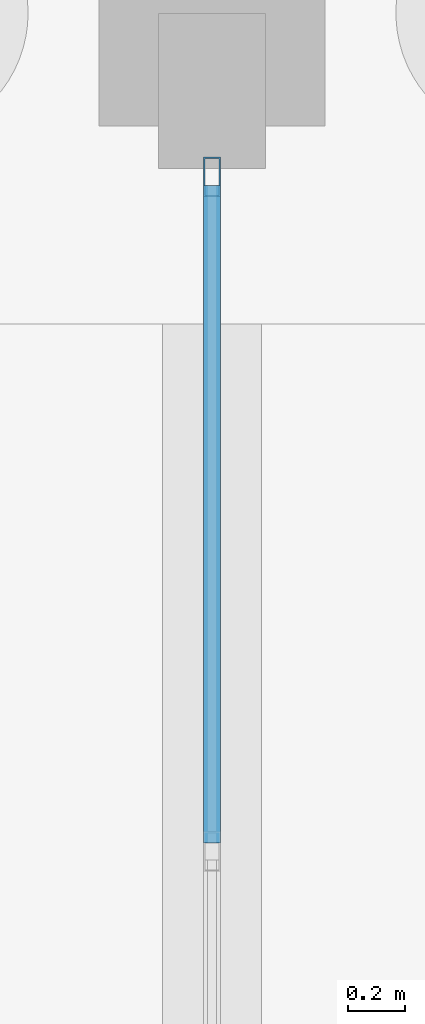
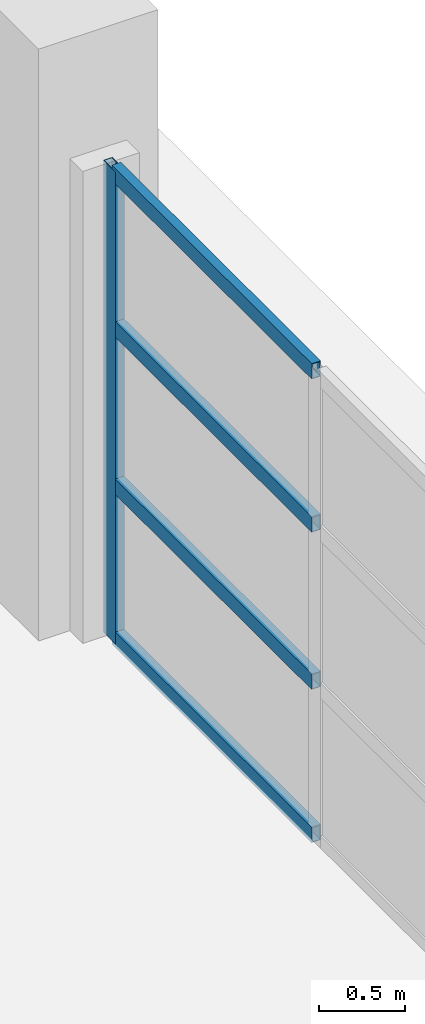
# One storey, part 44 of 77: 5 members, 1 element without a shape of its own.
"""IFC4 building model written with IfcOpenShell, lengths in metres."""

from ifc_helpers import new_model, si_unit, direction, frame, origin, origin_2d, place, context, subcontext, project, spatial, hollow_rectangle, extrude, material, layer, layer_set, material_profile, profile_set, type_object, element, aggregate, save


model = new_model("IFC4")

# Units and contexts
model_context = context("Model", 3, precision=1e-05, world=origin(), true_north=direction((0.0, 1.0)))
body_context = subcontext(model_context, "Body", "Model", "MODEL_VIEW")
ifc_project = project(units=[si_unit("LENGTHUNIT", "METRE"), si_unit("AREAUNIT", "SQUARE_METRE"), si_unit("VOLUMEUNIT", "CUBIC_METRE"), si_unit("PLANEANGLEUNIT", "RADIAN"), si_unit("MASSUNIT", "GRAM", prefix="KILO")], contexts=[model_context])

# Site, building, storey
site_placement = place(None, origin())
site = spatial("IfcSite", under=ifc_project, at=site_placement, CompositionType="ELEMENT")
building_placement = place(site_placement, origin())
building = spatial("IfcBuilding", under=site, at=building_placement, Name="Zilviju Railside Exhibition Hall", CompositionType="ELEMENT")
storey_placement = place(building_placement, origin())
storey = spatial("IfcBuildingStorey", under=building, at=storey_placement, Name="L01", CompositionType="ELEMENT", Elevation=0.0)

# Curtain wall, members
ifc_material_1 = material(Name="Thermally broken aluminium-steel triple-glazed curtain wall", Category="steel")
ifc_layer = layer(ifc_material_1, 0.179931640625)
ifc_layer_set = layer_set([ifc_layer], Name="Thermally broken aluminium-steel triple-glazed curtain wall")
curtain_wall_type = type_object("IfcCurtainWallType", Name="CW-BAY-03", PredefinedType="USERDEFINED", material=ifc_layer_set)
curtain_wall_placement = place(storey_placement, origin())
curtain_wall = element("IfcCurtainWall", 1, at=curtain_wall_placement, inside=storey, type_object=curtain_wall_type, Name="North Hall East Glazed Gable L01 (84..102)", ObjectType="GLAZED CURTAIN WALL", PredefinedType="USERDEFINED")
ifc_material_2 = material(Name="Thermally broken anodized aluminium mullion", Category="aluminium")
ifc_material_profile_1 = material_profile(ifc_material_2, hollow_rectangle(XDim=0.06005859375, YDim=0.139892578125, WallThickness=0.0048828125, at=origin_2d()), Name="MULLION 140x60x5")
ifc_profile_set_1 = profile_set([ifc_material_profile_1], Name="Thermally broken anodized aluminium mullion")
member_type_1 = type_object("IfcMemberType", Name="CWM-60x140", PredefinedType="MULLION", material=ifc_profile_set_1)
member_1_placement = place(storey_placement, frame((216.0, 101.419921875, 0.0), z_axis=(0.0, 0.0, 1.0), x_axis=(1.0, 0.0, 0.0)))
member_1 = element("IfcMember", 2, at=member_1_placement, type_object=member_type_1, Name="CW-03 mullion 1", PredefinedType="MULLION", context=body_context, shape_type="SweptSolid", body=[
    extrude(hollow_rectangle(XDim=0.06005859375, YDim=0.139892578125, WallThickness=0.0048828125, at=origin_2d()), origin(), (0.0, 0.0, 1.0), 3.35009765625),
])
ifc_material_3 = material(Name="Thermally broken anodized aluminium transom", Category="aluminium")
ifc_material_profile_2 = material_profile(ifc_material_3, hollow_rectangle(XDim=0.06005859375, YDim=0.110107421875, WallThickness=0.0048828125, at=origin_2d()), Name="TRANSOM 110x60x5")
ifc_profile_set_2 = profile_set([ifc_material_profile_2], Name="Thermally broken anodized aluminium transom")
member_type_2 = type_object("IfcMemberType", Name="CWT-60x110", PredefinedType="USERDEFINED", material=ifc_profile_set_2)
member_2_placement = place(storey_placement, frame((216.0, 101.389892578125, 0.030029296875), z_axis=(0.0, -1.0, 0.0), x_axis=(1.0, 0.0, 0.0)))
member_2 = element("IfcMember", 3, at=member_2_placement, type_object=member_type_2, Name="CW-03 transom 1.1", ObjectType="TRANSOM", PredefinedType="USERDEFINED", context=body_context, shape_type="SweptSolid", body=[
    extrude(hollow_rectangle(XDim=0.06005859375, YDim=0.110107421875, WallThickness=0.0048828125, at=origin_2d()), origin(), (0.0, 0.0, 1.0), 2.32421875),
])
member_3_placement = place(storey_placement, frame((216.0, 101.389892578125, 1.116943359375), z_axis=(0.0, -1.0, 0.0), x_axis=(1.0, 0.0, 0.0)))
member_3 = element("IfcMember", 4, at=member_3_placement, type_object=member_type_2, Name="CW-03 transom 1.2", ObjectType="TRANSOM", PredefinedType="USERDEFINED", context=body_context, shape_type="SweptSolid", body=[
    extrude(hollow_rectangle(XDim=0.06005859375, YDim=0.110107421875, WallThickness=0.0048828125, at=origin_2d()), origin(), (0.0, 0.0, 1.0), 2.32421875),
])
member_4_placement = place(storey_placement, frame((216.0, 101.389892578125, 2.23291015625), z_axis=(0.0, -1.0, 0.0), x_axis=(1.0, 0.0, 0.0)))
member_4 = element("IfcMember", 5, at=member_4_placement, type_object=member_type_2, Name="CW-03 transom 1.3", ObjectType="TRANSOM", PredefinedType="USERDEFINED", context=body_context, shape_type="SweptSolid", body=[
    extrude(hollow_rectangle(XDim=0.06005859375, YDim=0.110107421875, WallThickness=0.0048828125, at=origin_2d()), origin(), (0.0, 0.0, 1.0), 2.32421875),
])
member_5_placement = place(storey_placement, frame((216.0, 101.389892578125, 3.320068359375), z_axis=(0.0, -1.0, 0.0), x_axis=(1.0, 0.0, 0.0)))
member_5 = element("IfcMember", 6, at=member_5_placement, type_object=member_type_2, Name="CW-03 transom 1.4", ObjectType="TRANSOM", PredefinedType="USERDEFINED", context=body_context, shape_type="SweptSolid", body=[
    extrude(hollow_rectangle(XDim=0.06005859375, YDim=0.110107421875, WallThickness=0.0048828125, at=origin_2d()), origin(), (0.0, 0.0, 1.0), 2.32421875),
])
aggregate(curtain_wall, [member_1, member_2, member_3, member_4, member_5])

save(model, "model.ifc")
